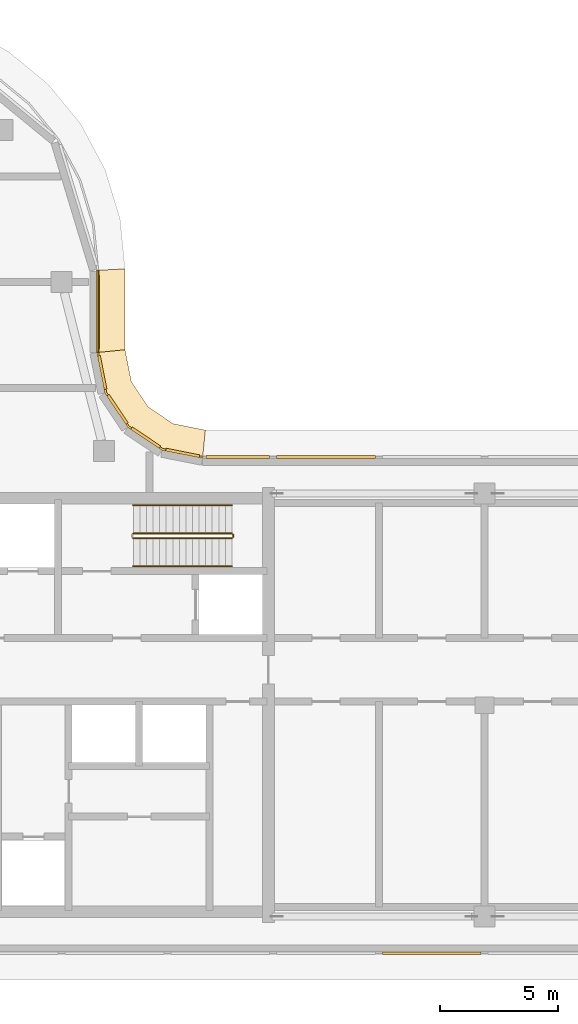
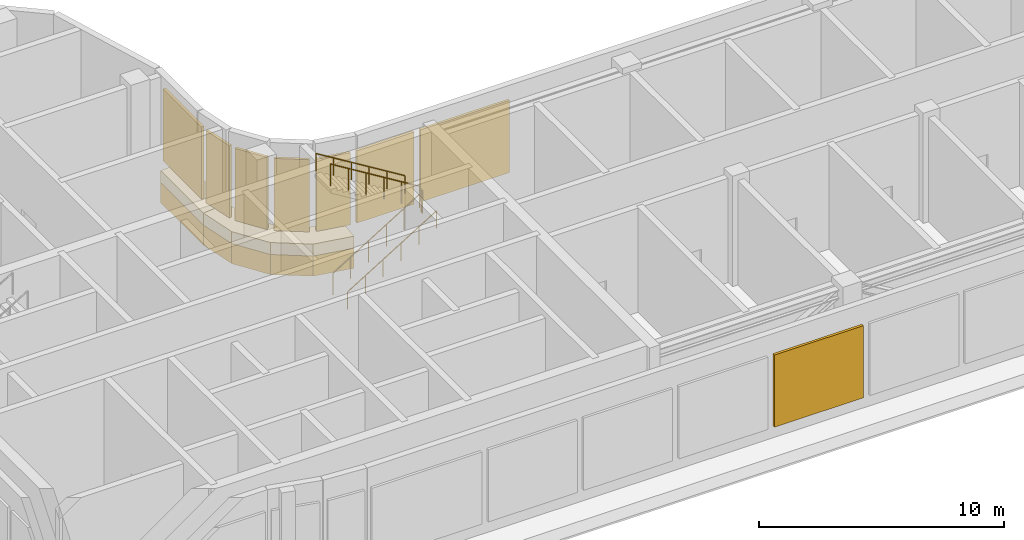
# One storey, part 11 of 14: 8 shading devices, 5 railings, 4 coverings.
"""IFC4 building model written with IfcOpenShell, lengths in metres."""

from ifc_helpers import new_model, si_unit, direction, frame, origin, origin_2d, place, context, subcontext, project, spatial, polyline, rectangle, circle, outline, extrude, material, layer, layer_set, type_object, element, save


model = new_model("IFC4")

# Units and contexts
model_context = context("Model", 3, precision=1e-05, world=origin(), true_north=direction((0.0, 1.0)))
body_context = subcontext(model_context, "Body", "Model", "MODEL_VIEW")
ifc_project = project(units=[si_unit("LENGTHUNIT", "METRE"), si_unit("AREAUNIT", "SQUARE_METRE"), si_unit("VOLUMEUNIT", "CUBIC_METRE"), si_unit("PLANEANGLEUNIT", "RADIAN"), si_unit("MASSUNIT", "GRAM", prefix="KILO")], contexts=[model_context])

# Site, building, storey
site_placement = place(None, origin())
site = spatial("IfcSite", under=ifc_project, at=site_placement, CompositionType="ELEMENT")
building_placement = place(site_placement, origin())
building = spatial("IfcBuilding", under=site, at=building_placement, Name="Ogive Portal Towers", CompositionType="ELEMENT")
storey_placement = place(building_placement, frame((0.0, 0.0, 243.89990234375)))
storey = spatial("IfcBuildingStorey", under=building, at=storey_placement, Name="L61", CompositionType="ELEMENT", Elevation=243.89990234375)

# Railings
ifc_material_1 = material(Name="Stainless steel balustrade", Category="steel")
railing_type_1 = type_object("IfcRailingType", Name="INT-GUARD", PredefinedType="GUARDRAIL", material=ifc_material_1)
railing_1_placement = place(storey_placement, frame((52.550048828125, 37.60009765625, 0.171875)))
element("IfcRailing", 1, at=railing_1_placement, inside=storey, type_object=railing_type_1, Name="L61 ST-A2 stair guard 1", PredefinedType="GUARDRAIL", context=body_context, shape_type="SweptSolid", body=[
    extrude(circle(Radius=0.02392578125, at=origin_2d()), frame((0.0, 0.0, 1.076171875), z_axis=(0.852242915053, 0.0, 0.523146264196), x_axis=(0.0, 1.0, 0.0)), (0.0, 0.0, 1.0), 4.92822265625),
    extrude(circle(Radius=0.02099609375, at=origin_2d()), origin(), (0.0, 0.0, 1.0), 1.052001953125),
    extrude(circle(Radius=0.02099609375, at=origin_2d()), frame((0.840087890625, 0.0, 0.515625)), (0.0, 0.0, 1.0), 1.052001953125),
    extrude(circle(Radius=0.02099609375, at=origin_2d()), frame((1.679931640625, 0.0, 1.03125)), (0.0, 0.0, 1.0), 1.052001953125),
    extrude(circle(Radius=0.02099609375, at=origin_2d()), frame((2.52001953125, 0.0, 1.546875)), (0.0, 0.0, 1.0), 1.052001953125),
    extrude(circle(Radius=0.02099609375, at=origin_2d()), frame((3.35986328125, 0.0, 2.0625)), (0.0, 0.0, 1.0), 1.052001953125),
    extrude(circle(Radius=0.02099609375, at=origin_2d()), frame((4.199951171875, 0.0, 2.578125)), (0.0, 0.0, 1.0), 1.052001953125),
])
railing_2_placement = place(storey_placement, frame((56.800048828125, 37.64990234375, 2.75)))
element("IfcRailing", 2, at=railing_2_placement, inside=storey, type_object=railing_type_1, Name="L61 ST-A2 stair guard 2", PredefinedType="GUARDRAIL", context=body_context, shape_type="SweptSolid", body=[
    extrude(circle(Radius=0.02392578125, at=origin_2d()), frame((0.0, 0.0, 1.076171875), z_axis=(0.0, 1.0, 0.0), x_axis=(-1.0, 0.0, 0.0)), (0.0, 0.0, 1.0), 0.10009765625),
    extrude(circle(Radius=0.02099609375, at=origin_2d()), origin(), (0.0, 0.0, 1.0), 1.052001953125),
    extrude(circle(Radius=0.02099609375, at=origin_2d()), frame((0.0, 0.10009765625, 0.0)), (0.0, 0.0, 1.0), 1.052001953125),
])
railing_3_placement = place(storey_placement, frame((56.75, 37.800048828125, 2.921875)))
element("IfcRailing", 3, at=railing_3_placement, inside=storey, type_object=railing_type_1, Name="L61 ST-A2 stair guard 3", PredefinedType="GUARDRAIL", context=body_context, shape_type="SweptSolid", body=[
    extrude(circle(Radius=0.02392578125, at=origin_2d()), frame((0.0, 0.0, 1.076171875), z_axis=(-0.852242915053, 0.0, 0.523146264196), x_axis=(0.0, -1.0, 0.0)), (0.0, 0.0, 1.0), 4.92822265625),
    extrude(circle(Radius=0.02099609375, at=origin_2d()), origin(), (0.0, 0.0, 1.0), 1.052001953125),
    extrude(circle(Radius=0.02099609375, at=origin_2d()), frame((-0.840087890625, 0.0, 0.515625)), (0.0, 0.0, 1.0), 1.052001953125),
    extrude(circle(Radius=0.02099609375, at=origin_2d()), frame((-1.679931640625, 0.0, 1.03125)), (0.0, 0.0, 1.0), 1.052001953125),
    extrude(circle(Radius=0.02099609375, at=origin_2d()), frame((-2.52001953125, 0.0, 1.546875)), (0.0, 0.0, 1.0), 1.052001953125),
    extrude(circle(Radius=0.02099609375, at=origin_2d()), frame((-3.35986328125, 0.0, 2.0625)), (0.0, 0.0, 1.0), 1.052001953125),
    extrude(circle(Radius=0.02099609375, at=origin_2d()), frame((-4.199951171875, 0.0, 2.578125)), (0.0, 0.0, 1.0), 1.052001953125),
])
ifc_material_2 = material(Name="Stainless steel handrail", Category="steel")
railing_type_2 = type_object("IfcRailingType", Name="INT-HANDRAIL", PredefinedType="HANDRAIL", material=ifc_material_2)
railing_4_placement = place(storey_placement, frame((52.550048828125, 36.39990234375, 0.171875)))
element("IfcRailing", 4, at=railing_4_placement, inside=storey, type_object=railing_type_2, Name="L61 ST-A2 stair handrail 1", PredefinedType="HANDRAIL", context=body_context, shape_type="SweptSolid", body=[
    extrude(circle(Radius=0.02392578125, at=origin_2d()), frame((0.0, 0.0, 0.8759765625), z_axis=(0.852242915053, 0.0, 0.523146264196), x_axis=(0.0, 1.0, 0.0)), (0.0, 0.0, 1.0), 4.92822265625),
    extrude(circle(Radius=0.02099609375, at=origin_2d()), origin(), (0.0, 0.0, 1.0), 0.851806640625),
    extrude(circle(Radius=0.02099609375, at=origin_2d()), frame((0.840087890625, 0.0, 0.515625)), (0.0, 0.0, 1.0), 0.851806640625),
    extrude(circle(Radius=0.02099609375, at=origin_2d()), frame((1.679931640625, 0.0, 1.03125)), (0.0, 0.0, 1.0), 0.851806640625),
    extrude(circle(Radius=0.02099609375, at=origin_2d()), frame((2.52001953125, 0.0, 1.546875)), (0.0, 0.0, 1.0), 0.851806640625),
    extrude(circle(Radius=0.02099609375, at=origin_2d()), frame((3.35986328125, 0.0, 2.0625)), (0.0, 0.0, 1.0), 0.851806640625),
    extrude(circle(Radius=0.02099609375, at=origin_2d()), frame((4.199951171875, 0.0, 2.578125)), (0.0, 0.0, 1.0), 0.851806640625),
])
railing_5_placement = place(storey_placement, frame((56.75, 39.0, 2.921875)))
element("IfcRailing", 5, at=railing_5_placement, inside=storey, type_object=railing_type_2, Name="L61 ST-A2 stair handrail 2", PredefinedType="HANDRAIL", context=body_context, shape_type="SweptSolid", body=[
    extrude(circle(Radius=0.02392578125, at=origin_2d()), frame((0.0, 0.0, 0.8759765625), z_axis=(-0.852242915053, 0.0, 0.523146264196), x_axis=(0.0, -1.0, 0.0)), (0.0, 0.0, 1.0), 4.92822265625),
    extrude(circle(Radius=0.02099609375, at=origin_2d()), origin(), (0.0, 0.0, 1.0), 0.851806640625),
    extrude(circle(Radius=0.02099609375, at=origin_2d()), frame((-0.840087890625, 0.0, 0.515625)), (0.0, 0.0, 1.0), 0.851806640625),
    extrude(circle(Radius=0.02099609375, at=origin_2d()), frame((-1.679931640625, 0.0, 1.03125)), (0.0, 0.0, 1.0), 0.851806640625),
    extrude(circle(Radius=0.02099609375, at=origin_2d()), frame((-2.52001953125, 0.0, 1.546875)), (0.0, 0.0, 1.0), 0.851806640625),
    extrude(circle(Radius=0.02099609375, at=origin_2d()), frame((-3.35986328125, 0.0, 2.0625)), (0.0, 0.0, 1.0), 0.851806640625),
    extrude(circle(Radius=0.02099609375, at=origin_2d()), frame((-4.199951171875, 0.0, 2.578125)), (0.0, 0.0, 1.0), 0.851806640625),
])

# Shading devices
ifc_material_3 = material(Name="Aluminium 6063 anodised", Category="aluminium")
ifc_layer_1 = layer(ifc_material_3, 0.1201171875)
ifc_layer_set_1 = layer_set([ifc_layer_1], Name="LOUVRE BANK ALUMINIUM")
shading_device_type = type_object("IfcShadingDeviceType", Name="LOUVRE BANK ALUMINIUM", PredefinedType="USERDEFINED", material=ifc_layer_set_1)
for number, where, z_axis, x_axis, name in (
    (6, (65.25, 19.93994140625, 0.60009765625), (0.0, 0.0, 1.0), (1.0, 0.0, 0.0), "Louvre bank 5"),
    (7, (60.75, 41.06005859375, 0.60009765625), (0.0, 0.0, 1.0), (-1.0, 0.0, 0.0), "Louvre bank 7"),
):
    element("IfcShadingDevice", number, at=place(storey_placement, frame(where, z_axis=z_axis, x_axis=x_axis)), inside=storey, type_object=shading_device_type, Name=name, ObjectType="LOUVRE", PredefinedType="USERDEFINED", context=body_context, shape_type="SweptSolid", body=[
        extrude(rectangle(XDim=4.199951171875, YDim=0.1201171875, at=origin_2d()), origin(), (0.0, 0.0, 1.0), 3.60009765625),
    ])
shading_device_1_placement = place(storey_placement, frame((57.0, 41.06005859375, 0.60009765625), z_axis=(0.0, 0.0, 1.0), x_axis=(-1.0, 0.0, 0.0)))
element("IfcShadingDevice", 8, at=shading_device_1_placement, inside=storey, type_object=shading_device_type, Name="Louvre bank 8", ObjectType="LOUVRE", PredefinedType="USERDEFINED", context=body_context, shape_type="SweptSolid", body=[
    extrude(rectangle(XDim=2.699951171875, YDim=0.1201171875, at=origin_2d()), origin(), (0.0, 0.0, 1.0), 3.60009765625),
])
for number, where, z_axis, x_axis, name in (
    (9, (54.650634765625, 41.230224609375, 0.60009765625), (0.0, 0.0, 1.0), (-0.980785280403, 0.195090322016, 0.0), "Louvre bank 1"),
    (10, (53.081298828125, 41.880126953125, 0.60009765625), (0.0, 0.0, 1.0), (-0.831469612303, 0.55557023302, 0.0), "Louvre bank 1"),
    (11, (51.880126953125, 43.081298828125, 0.60009765625), (0.0, 0.0, 1.0), (-0.55557023302, 0.831469612303, 0.0), "Louvre bank 1"),
    (12, (51.230224609375, 44.650634765625, 0.60009765625), (0.0, 0.0, 1.0), (-0.195090322016, 0.980785280403, 0.0), "Louvre bank 1"),
):
    element("IfcShadingDevice", number, at=place(storey_placement, frame(where, z_axis=z_axis, x_axis=x_axis)), inside=storey, type_object=shading_device_type, Name=name, ObjectType="LOUVRE", PredefinedType="USERDEFINED", context=body_context, shape_type="SweptSolid", body=[
        extrude(rectangle(XDim=1.455810546875, YDim=0.1201171875, at=origin_2d()), origin(), (0.0, 0.0, 1.0), 3.60009765625),
    ])
shading_device_2_placement = place(storey_placement, frame((51.06005859375, 47.227783203125, 0.60009765625), z_axis=(0.0, 0.0, 1.0), x_axis=(0.0, 1.0, 0.0)))
element("IfcShadingDevice", 13, at=shading_device_2_placement, inside=storey, type_object=shading_device_type, Name="Louvre bank 1", ObjectType="LOUVRE", PredefinedType="USERDEFINED", context=body_context, shape_type="SweptSolid", body=[
    extrude(rectangle(XDim=3.155517578125, YDim=0.1201171875, at=origin_2d()), origin(), (0.0, 0.0, 1.0), 3.60009765625),
])

# Coverings
ifc_material_4 = material(Name="Limestone cladding on lightweight block wall", Category="masonry")
ifc_layer_2 = layer(ifc_material_4, 0.080078125)
ifc_layer_set_2 = layer_set([ifc_layer_2], Name="STONE SPANDREL 80")
covering_type_1 = type_object("IfcCoveringType", Name="STONE SPANDREL 80", PredefinedType="CLADDING", material=ifc_layer_set_2)
covering_1_placement = place(storey_placement, frame((0.0, 0.0, -1.599853515625)))
element("IfcCovering", 14, at=covering_1_placement, inside=storey, type_object=covering_type_1, Name="Stone spandrel A1-F10", PredefinedType="CLADDING", context=body_context, shape_type="SweptSolid", body=[
    extrude(outline(polyline([(55.5, 41.0), (53.77783203125, 41.342529296875), (52.318115234375, 42.318115234375), (51.342529296875, 43.77783203125), (51.0, 45.5), (51.080078125, 45.5078125), (51.41796875, 43.80908203125), (52.375732421875, 42.375732421875), (53.80908203125, 41.41796875), (55.5078125, 41.080078125), (55.5, 41.0)])), origin(), (0.0, 0.0, 1.0), 1.0),
])
covering_2_placement = place(storey_placement, frame((0.0, 0.0, -1.599853515625)))
element("IfcCovering", 15, at=covering_2_placement, inside=storey, type_object=covering_type_1, Name="Stone spandrel A1-F11", PredefinedType="CLADDING", context=body_context, shape_type="SweptSolid", body=[
    extrude(outline(polyline([(51.0, 45.5), (51.0, 49.0), (51.080078125, 49.00390625), (51.080078125, 45.5078125), (51.0, 45.5)])), origin(), (0.0, 0.0, 1.0), 1.0),
])
ifc_layer_3 = layer(ifc_material_4, 0.60009765625)
ifc_layer_set_3 = layer_set([ifc_layer_3], Name="SUNSHADE LIP 600")
covering_type_2 = type_object("IfcCoveringType", Name="SUNSHADE LIP 600", PredefinedType="CLADDING", material=ifc_layer_set_3)
covering_3_placement = place(storey_placement, frame((0.0, 0.0, -0.599853515625)))
element("IfcCovering", 16, at=covering_3_placement, inside=storey, type_object=covering_type_2, Name="Sunshade lip A1-F10", PredefinedType="CLADDING", context=body_context, shape_type="SweptSolid", body=[
    extrude(outline(polyline([(55.5, 41.0), (53.77783203125, 41.342529296875), (52.318115234375, 42.318115234375), (51.342529296875, 43.77783203125), (51.0, 45.5), (52.199951171875, 45.6181640625), (52.472900390625, 44.24609375), (53.18310546875, 43.18310546875), (54.24609375, 42.472900390625), (55.6181640625, 42.199951171875), (55.5, 41.0)])), origin(), (0.0, 0.0, 1.0), 0.599853515625),
])
covering_4_placement = place(storey_placement, frame((0.0, 0.0, -0.599853515625)))
element("IfcCovering", 17, at=covering_4_placement, inside=storey, type_object=covering_type_2, Name="Sunshade lip A1-F11", PredefinedType="CLADDING", context=body_context, shape_type="SweptSolid", body=[
    extrude(outline(polyline([(51.0, 45.5), (51.0, 49.0), (52.199951171875, 49.058837890625), (52.199951171875, 45.6181640625), (51.0, 45.5)])), origin(), (0.0, 0.0, 1.0), 0.599853515625),
])

save(model, "model.ifc")
